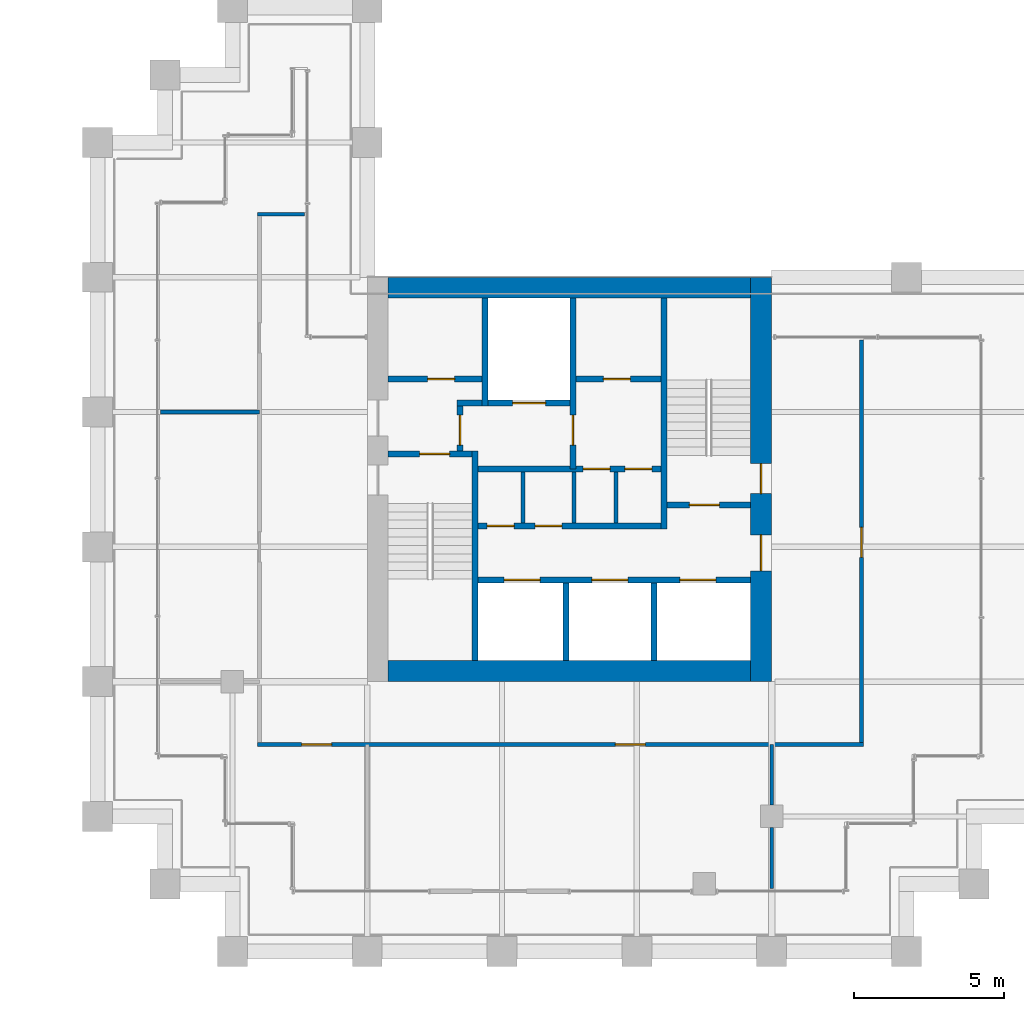
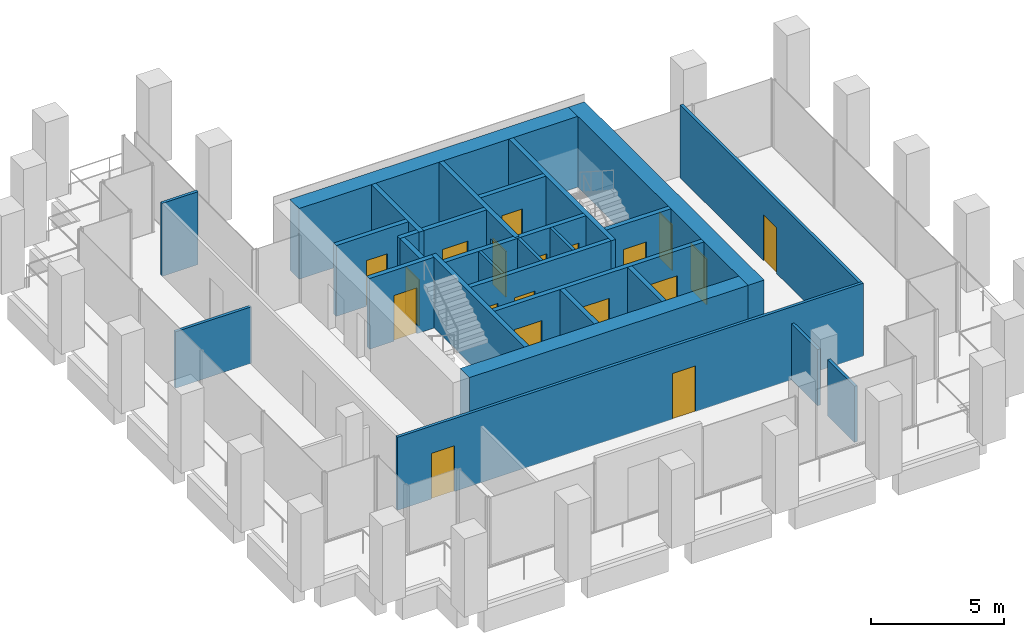
# One storey, part 43 of 45: 28 walls, 19 doors, 19 openings.
"""IFC4 building model written with IfcOpenShell, lengths in metres."""

from ifc_helpers import new_model, si_unit, direction, frame, frame_2d, origin, place, context, subcontext, project, spatial, rectangle, extrude, material, layer, layer_set, type_object, element, fill, save


model = new_model("IFC4")

# Units and contexts
model_context = context("Model", 3, precision=1e-05, world=origin(), true_north=direction((0.0, 1.0)))
body_context = subcontext(model_context, "Body", "Model", "MODEL_VIEW")
ifc_project = project(units=[si_unit("LENGTHUNIT", "METRE"), si_unit("AREAUNIT", "SQUARE_METRE"), si_unit("VOLUMEUNIT", "CUBIC_METRE"), si_unit("PLANEANGLEUNIT", "RADIAN"), si_unit("MASSUNIT", "GRAM", prefix="KILO")], contexts=[model_context])

# Site, building, storey
site_placement = place(None, origin())
site = spatial("IfcSite", under=ifc_project, at=site_placement, CompositionType="ELEMENT")
building_placement = place(site_placement, origin())
building = spatial("IfcBuilding", under=site, at=building_placement, Name="Altepetl Exchange Towers", CompositionType="ELEMENT")
storey_placement = place(building_placement, frame((0.0, 0.0, 110.0)))
storey = spatial("IfcBuildingStorey", under=building, at=storey_placement, Name="L27", CompositionType="ELEMENT", Elevation=110.0)

# Wall, openings, doors
ifc_material_1 = material(Name="Concrete C70/85", Category="concrete")
ifc_layer_1 = layer(ifc_material_1, 0.699951171875)
ifc_layer_set_1 = layer_set([ifc_layer_1], Name="Concrete C70/85")
wall_type_1 = type_object("IfcWallType", Name="Core wall 700 reinforced concrete", PredefinedType="SHEAR", material=ifc_layer_set_1)
wall_1_placement = place(storey_placement, frame((116.64990234375, 36.0, 0.0), z_axis=(0.0, 0.0, 1.0), x_axis=(0.0, 1.0, 0.0)))
wall_1 = element("IfcWall", 1, at=wall_1_placement, inside=storey, type_object=wall_type_1, Name="wall:B:L27:K-coreE", PredefinedType="SHEAR", context=body_context, shape_type="SweptSolid", body=[
    extrude(rectangle(XDim=13.5, YDim=0.699951171875, at=frame_2d((6.75, 0.0))), origin(), (0.0, 0.0, 1.0), 3.25),
])
opening_1_placement = place(wall_1_placement, frame((3.699951171875, 0.0, 0.0)))
opening_1 = element("IfcOpeningElement", 2, at=opening_1_placement, cuts=wall_1, Name="Opening L27.B61", PredefinedType="OPENING", context=body_context, shape_type="SweptSolid", body=[
    extrude(rectangle(XDim=1.199951171875, YDim=2.10009765625, at=frame_2d((0.60009765625, 1.050048828125))), frame((0.0, 0.35986328125, 0.0), z_axis=(0.0, -1.0, 0.0), x_axis=(1.0, 0.0, 0.0)), (0.0, 0.0, 1.0), 0.719970703125),
])
opening_2_placement = place(wall_1_placement, frame((6.27490234375, 0.0, 0.0)))
opening_2 = element("IfcOpeningElement", 3, at=opening_2_placement, cuts=wall_1, Name="Opening L27.B65", PredefinedType="OPENING", context=body_context, shape_type="SweptSolid", body=[
    extrude(rectangle(XDim=1.0, YDim=2.10009765625, at=frame_2d((0.5, 1.050048828125))), frame((0.0, 0.35986328125, 0.0), z_axis=(0.0, -1.0, 0.0), x_axis=(1.0, 0.0, 0.0)), (0.0, 0.0, 1.0), 0.719970703125),
])
ifc_material_2 = material(Name="Steel and timber fire door", Category="steel")
door_type_1 = type_object("IfcDoorType", Name="Fire door 1000 x 2100 stair and lobby", OperationType="SINGLE_SWING_LEFT", PredefinedType="DOOR", material=ifc_material_2)
door_1_placement = place(opening_2_placement, origin())
door_1 = element("IfcDoor", 4, at=door_1_placement, inside=storey, type_object=door_type_1, Name="door:B:L27:K-dS2x", OperationType="SINGLE_SWING_LEFT", OverallHeight=2.10009765625, OverallWidth=1.0, PredefinedType="DOOR", context=body_context, shape_type="SweptSolid", body=[
    extrude(rectangle(XDim=1.0, YDim=2.10009765625, at=frame_2d((0.5, 1.050048828125))), frame((0.0, 0.02490234375, 0.0), z_axis=(0.0, -1.0, 0.0), x_axis=(1.0, 0.0, 0.0)), (0.0, 0.0, 1.0), 0.050048828125),
])
fill(opening_2, door_1)
door_type_2 = type_object("IfcDoorType", Name="Fire door 1200 x 2100 lobby entry", OperationType="SINGLE_SWING_LEFT", PredefinedType="DOOR", material=ifc_material_2)
door_2_placement = place(opening_1_placement, origin())
door_2 = element("IfcDoor", 5, at=door_2_placement, inside=storey, type_object=door_type_2, Name="door:B:L27:K-dLSE", OperationType="SINGLE_SWING_RIGHT", OverallHeight=2.10009765625, OverallWidth=1.199951171875, PredefinedType="DOOR", context=body_context, shape_type="SweptSolid", body=[
    extrude(rectangle(XDim=1.199951171875, YDim=2.10009765625, at=frame_2d((0.60009765625, 1.050048828125))), frame((0.0, 0.02490234375, 0.0), z_axis=(0.0, -1.0, 0.0), x_axis=(1.0, 0.0, 0.0)), (0.0, 0.0, 1.0), 0.050048828125),
])
fill(opening_1, door_2)

# Walls
wall_2_placement = place(storey_placement, frame((104.199951171875, 36.35009765625, 0.0)))
element("IfcWall", 6, at=wall_2_placement, inside=storey, type_object=wall_type_1, Name="wall:B:L27:K-coreS", PredefinedType="SHEAR", context=body_context, shape_type="SweptSolid", body=[
    extrude(rectangle(XDim=12.10009765625, YDim=0.699951171875, at=frame_2d((6.050048828125, 0.0))), origin(), (0.0, 0.0, 1.0), 3.25),
])
ifc_layer_2 = layer(ifc_material_1, 0.699951171875)
ifc_layer_set_2 = layer_set([ifc_layer_2], Name="Concrete C70/85")
wall_type_2 = type_object("IfcWallType", Name="Core wall 700 reinforced concrete external", PredefinedType="SHEAR", material=ifc_layer_set_2)
wall_3_placement = place(storey_placement, frame((104.199951171875, 49.14990234375, 0.0)))
element("IfcWall", 7, at=wall_3_placement, inside=storey, type_object=wall_type_2, Name="wall:B:L27:K-coreN", PredefinedType="SHEAR", context=body_context, shape_type="SweptSolid", body=[
    extrude(rectangle(XDim=12.10009765625, YDim=0.699951171875, at=frame_2d((6.050048828125, 0.0))), origin(), (0.0, 0.0, 1.0), 3.25),
])
ifc_material_3 = material(Name="Concrete blockwork", Category="masonry")
ifc_layer_3 = layer(ifc_material_3, 0.199951171875)
ifc_layer_set_3 = layer_set([ifc_layer_3], Name="Concrete blockwork")
wall_type_3 = type_object("IfcWallType", Name="Lobby wall 200 blockwork", PredefinedType="PARTITIONING", material=ifc_layer_set_3)
wall_4_placement = place(storey_placement, frame((106.5, 45.300048828125, 0.0)))
element("IfcWall", 8, at=wall_4_placement, inside=storey, type_object=wall_type_3, Name="wall:B:L27:K-ffNw", PredefinedType="PARTITIONING", context=body_context, shape_type="SweptSolid", body=[
    extrude(rectangle(XDim=0.833251953125, YDim=0.199951171875, at=frame_2d((0.41650390625, 0.0))), origin(), (0.0, 0.0, 1.0), 3.25),
])

# Wall, opening, door
wall_5_placement = place(storey_placement, frame((106.60009765625, 43.699951171875, 0.0), z_axis=(0.0, 0.0, 1.0), x_axis=(0.0, 1.0, 0.0)))
wall_5 = element("IfcWall", 9, at=wall_5_placement, inside=storey, type_object=wall_type_3, Name="wall:B:L27:K-ffW", PredefinedType="PARTITIONING", context=body_context, shape_type="SweptSolid", body=[
    extrude(rectangle(XDim=1.5, YDim=0.199951171875, at=frame_2d((0.75, 0.0))), origin(), (0.0, 0.0, 1.0), 3.25),
])
opening_3_placement = place(wall_5_placement, frame((0.199951171875, 0.0, 0.0)))
opening_3 = element("IfcOpeningElement", 10, at=opening_3_placement, cuts=wall_5, Name="Opening L27.B67", PredefinedType="OPENING", context=body_context, shape_type="SweptSolid", body=[
    extrude(rectangle(XDim=1.0, YDim=2.10009765625, at=frame_2d((0.5, 1.050048828125))), frame((0.0, 0.10986328125, 0.0), z_axis=(0.0, -1.0, 0.0), x_axis=(1.0, 0.0, 0.0)), (0.0, 0.0, 1.0), 0.219970703125),
])
door_3_placement = place(opening_3_placement, frame((1.0, 0.0, 0.0), x_axis=(-1.0, 0.0, 0.0)))
door_3 = element("IfcDoor", 11, at=door_3_placement, inside=storey, type_object=door_type_1, Name="door:B:L27:K-dffW", OperationType="SINGLE_SWING_LEFT", OverallHeight=2.10009765625, OverallWidth=1.0, PredefinedType="DOOR", context=body_context, shape_type="SweptSolid", body=[
    extrude(rectangle(XDim=1.0, YDim=2.10009765625, at=frame_2d((0.5, 1.050048828125))), frame((0.0, 0.02490234375, 0.0), z_axis=(0.0, -1.0, 0.0), x_axis=(1.0, 0.0, 0.0)), (0.0, 0.0, 1.0), 0.050048828125),
])
fill(opening_3, door_3)

# Wall, openings, doors
wall_6_placement = place(storey_placement, frame((107.199951171875, 43.10009765625, 0.0)))
wall_6 = element("IfcWall", 12, at=wall_6_placement, inside=storey, type_object=wall_type_3, Name="wall:B:L27:K-zoneN", PredefinedType="PARTITIONING", context=body_context, shape_type="SweptSolid", body=[
    extrude(rectangle(XDim=6.10009765625, YDim=0.199951171875, at=frame_2d((3.050048828125, 0.0))), origin(), (0.0, 0.0, 1.0), 3.25),
])
opening_4_placement = place(wall_6_placement, frame((3.508544921875, 0.0, 0.0)))
opening_4 = element("IfcOpeningElement", 13, at=opening_4_placement, cuts=wall_6, Name="Opening L27.B72", PredefinedType="OPENING", context=body_context, shape_type="SweptSolid", body=[
    extrude(rectangle(XDim=0.89990234375, YDim=2.10009765625, at=frame_2d((0.449951171875, 1.050048828125))), frame((0.0, 0.10986328125, 0.0), z_axis=(0.0, -1.0, 0.0), x_axis=(1.0, 0.0, 0.0)), (0.0, 0.0, 1.0), 0.219970703125),
])
opening_5_placement = place(wall_6_placement, frame((4.89990234375, 0.0, 0.0)))
opening_5 = element("IfcOpeningElement", 14, at=opening_5_placement, cuts=wall_6, Name="Opening L27.B73", PredefinedType="OPENING", context=body_context, shape_type="SweptSolid", body=[
    extrude(rectangle(XDim=0.89990234375, YDim=2.10009765625, at=frame_2d((0.449951171875, 1.050048828125))), frame((0.0, 0.10986328125, 0.0), z_axis=(0.0, -1.0, 0.0), x_axis=(1.0, 0.0, 0.0)), (0.0, 0.0, 1.0), 0.219970703125),
])
door_type_3 = type_object("IfcDoorType", Name="Fire door 900 x 2100 service room", OperationType="SINGLE_SWING_LEFT", PredefinedType="DOOR", material=ifc_material_2)
door_4_placement = place(opening_4_placement, frame((0.89990234375, 0.0, 0.0), x_axis=(-1.0, 0.0, 0.0)))
door_4 = element("IfcDoor", 15, at=door_4_placement, inside=storey, type_object=door_type_3, Name="door:B:L27:K-dz3", OperationType="SINGLE_SWING_RIGHT", OverallHeight=2.10009765625, OverallWidth=0.89990234375, PredefinedType="DOOR", context=body_context, shape_type="SweptSolid", body=[
    extrude(rectangle(XDim=0.89990234375, YDim=2.10009765625, at=frame_2d((0.449951171875, 1.050048828125))), frame((0.0, 0.02490234375, 0.0), z_axis=(0.0, -1.0, 0.0), x_axis=(1.0, 0.0, 0.0)), (0.0, 0.0, 1.0), 0.050048828125),
])
fill(opening_4, door_4)
door_5_placement = place(opening_5_placement, frame((0.89990234375, 0.0, 0.0), x_axis=(-1.0, 0.0, 0.0)))
door_5 = element("IfcDoor", 16, at=door_5_placement, inside=storey, type_object=door_type_3, Name="door:B:L27:K-dz4", OperationType="SINGLE_SWING_RIGHT", OverallHeight=2.10009765625, OverallWidth=0.89990234375, PredefinedType="DOOR", context=body_context, shape_type="SweptSolid", body=[
    extrude(rectangle(XDim=0.89990234375, YDim=2.10009765625, at=frame_2d((0.449951171875, 1.050048828125))), frame((0.0, 0.02490234375, 0.0), z_axis=(0.0, -1.0, 0.0), x_axis=(1.0, 0.0, 0.0)), (0.0, 0.0, 1.0), 0.050048828125),
])
fill(opening_5, door_5)

wall_7_placement = place(storey_placement, frame((107.199951171875, 41.199951171875, 0.0)))
wall_7 = element("IfcWall", 17, at=wall_7_placement, inside=storey, type_object=wall_type_3, Name="wall:B:L27:K-zoneS", PredefinedType="PARTITIONING", context=body_context, shape_type="SweptSolid", body=[
    extrude(rectangle(XDim=6.10009765625, YDim=0.199951171875, at=frame_2d((3.050048828125, 0.0))), origin(), (0.0, 0.0, 1.0), 3.25),
])
opening_6_placement = place(wall_7_placement, frame((0.300048828125, 0.0, 0.0)))
opening_6 = element("IfcOpeningElement", 18, at=opening_6_placement, cuts=wall_7, Name="Opening L27.B70", PredefinedType="OPENING", context=body_context, shape_type="SweptSolid", body=[
    extrude(rectangle(XDim=0.89990234375, YDim=2.10009765625, at=frame_2d((0.449951171875, 1.050048828125))), frame((0.0, 0.10986328125, 0.0), z_axis=(0.0, -1.0, 0.0), x_axis=(1.0, 0.0, 0.0)), (0.0, 0.0, 1.0), 0.219970703125),
])
opening_7_placement = place(wall_7_placement, frame((1.89990234375, 0.0, 0.0)))
opening_7 = element("IfcOpeningElement", 19, at=opening_7_placement, cuts=wall_7, Name="Opening L27.B71", PredefinedType="OPENING", context=body_context, shape_type="SweptSolid", body=[
    extrude(rectangle(XDim=0.89990234375, YDim=2.10009765625, at=frame_2d((0.449951171875, 1.050048828125))), frame((0.0, 0.10986328125, 0.0), z_axis=(0.0, -1.0, 0.0), x_axis=(1.0, 0.0, 0.0)), (0.0, 0.0, 1.0), 0.219970703125),
])
door_6_placement = place(opening_6_placement, origin())
door_6 = element("IfcDoor", 20, at=door_6_placement, inside=storey, type_object=door_type_3, Name="door:B:L27:K-dz1", OperationType="SINGLE_SWING_RIGHT", OverallHeight=2.10009765625, OverallWidth=0.89990234375, PredefinedType="DOOR", context=body_context, shape_type="SweptSolid", body=[
    extrude(rectangle(XDim=0.89990234375, YDim=2.10009765625, at=frame_2d((0.449951171875, 1.050048828125))), frame((0.0, 0.02490234375, 0.0), z_axis=(0.0, -1.0, 0.0), x_axis=(1.0, 0.0, 0.0)), (0.0, 0.0, 1.0), 0.050048828125),
])
fill(opening_6, door_6)
door_7_placement = place(opening_7_placement, origin())
door_7 = element("IfcDoor", 21, at=door_7_placement, inside=storey, type_object=door_type_3, Name="door:B:L27:K-dz2", OperationType="SINGLE_SWING_RIGHT", OverallHeight=2.10009765625, OverallWidth=0.89990234375, PredefinedType="DOOR", context=body_context, shape_type="SweptSolid", body=[
    extrude(rectangle(XDim=0.89990234375, YDim=2.10009765625, at=frame_2d((0.449951171875, 1.050048828125))), frame((0.0, 0.02490234375, 0.0), z_axis=(0.0, -1.0, 0.0), x_axis=(1.0, 0.0, 0.0)), (0.0, 0.0, 1.0), 0.050048828125),
])
fill(opening_7, door_7)

# Walls
ifc_material_4 = material(Name="Timber panels on aluminium track", Category="wood")
ifc_layer_4 = layer(ifc_material_4, 0.125)
ifc_layer_set_4 = layer_set([ifc_layer_4], Name="Timber panels on aluminium track")
wall_type_4 = type_object("IfcWallType", Name="Operable acoustic partition 125", PredefinedType="MOVABLE", material=ifc_layer_set_4)
wall_8_placement = place(storey_placement, frame((96.60009765625, 45.0, 0.0)))
element("IfcWall", 22, at=wall_8_placement, inside=storey, type_object=wall_type_4, Name="wall:B:L27:P04", PredefinedType="MOVABLE", context=body_context, shape_type="SweptSolid", body=[
    extrude(rectangle(XDim=3.2998046875, YDim=0.125, at=frame_2d((1.64990234375, 0.0))), origin(), (0.0, 0.0, 1.0), 2.592041015625),
])
ifc_material_5 = material(Name="Gypsum board on steel studs", Category="steel")
ifc_layer_5 = layer(ifc_material_5, 0.125)
ifc_layer_set_5 = layer_set([ifc_layer_5], Name="Gypsum board on steel studs")
wall_type_5 = type_object("IfcWallType", Name="Partition 125 gypsum board on steel studs", PredefinedType="PARTITIONING", material=ifc_layer_set_5)
for number, where, z_axis, x_axis, name in (
    (23, (108.699951171875, 41.300048828125, 0.0), (0.0, 0.0, 1.0), (0.0, 1.0, 0.0), "wall:B:L27:K-zp1"),
    (24, (110.39990234375, 41.300048828125, 0.0), (0.0, 0.0, 1.0), (0.0, 1.0, 0.0), "wall:B:L27:K-zp2"),
    (25, (111.800048828125, 41.300048828125, 0.0), (0.0, 0.0, 1.0), (0.0, 1.0, 0.0), "wall:B:L27:K-zp3"),
):
    element("IfcWall", number, at=place(storey_placement, frame(where, z_axis=z_axis, x_axis=x_axis)), inside=storey, type_object=wall_type_5, Name=name, PredefinedType="PARTITIONING", context=body_context, shape_type="SweptSolid", body=[
        extrude(rectangle(XDim=1.699951171875, YDim=0.125, at=frame_2d((0.85009765625, 0.0))), origin(), (0.0, 0.0, 1.0), 3.25),
    ])

# Wall, openings, doors
wall_9_placement = place(storey_placement, frame((99.83740234375, 33.89990234375, 0.0)))
wall_9 = element("IfcWall", 26, at=wall_9_placement, inside=storey, type_object=wall_type_5, Name="wall:B:L27:P01", PredefinedType="PARTITIONING", context=body_context, shape_type="SweptSolid", body=[
    extrude(rectangle(XDim=20.22509765625, YDim=0.125, at=frame_2d((10.112548828125, 0.0))), origin(), (0.0, 0.0, 1.0), 3.35009765625),
])
opening_8_placement = place(wall_9_placement, frame((1.470458984375, 0.0, 0.0)))
opening_8 = element("IfcOpeningElement", 27, at=opening_8_placement, cuts=wall_9, Name="Opening L27.B02", PredefinedType="OPENING", context=body_context, shape_type="SweptSolid", body=[
    extrude(rectangle(XDim=1.0, YDim=2.10009765625, at=frame_2d((0.5, 1.050048828125))), frame((0.0, 0.072509765625, 0.0), z_axis=(0.0, -1.0, 0.0), x_axis=(1.0, 0.0, 0.0)), (0.0, 0.0, 1.0), 0.14501953125),
])
opening_9_placement = place(wall_9_placement, frame((11.9423828125, 0.0, 0.0)))
opening_9 = element("IfcOpeningElement", 28, at=opening_9_placement, cuts=wall_9, Name="Opening L27.B03", PredefinedType="OPENING", context=body_context, shape_type="SweptSolid", body=[
    extrude(rectangle(XDim=1.0, YDim=2.10009765625, at=frame_2d((0.5, 1.050048828125))), frame((0.0, 0.072509765625, 0.0), z_axis=(0.0, -1.0, 0.0), x_axis=(1.0, 0.0, 0.0)), (0.0, 0.0, 1.0), 0.14501953125),
])
door_type_4 = type_object("IfcDoorType", Name="Fire door 1000 x 2100 single leaf", OperationType="SINGLE_SWING_LEFT", PredefinedType="DOOR", material=ifc_material_2)
door_8_placement = place(opening_8_placement, frame((1.0, 0.0, 0.0), x_axis=(-1.0, 0.0, 0.0)))
door_8 = element("IfcDoor", 29, at=door_8_placement, inside=storey, type_object=door_type_4, Name="door:B:L27:02", OperationType="SINGLE_SWING_RIGHT", OverallHeight=2.10009765625, OverallWidth=1.0, PredefinedType="DOOR", context=body_context, shape_type="SweptSolid", body=[
    extrude(rectangle(XDim=1.0, YDim=2.10009765625, at=frame_2d((0.5, 1.050048828125))), frame((0.0, 0.02490234375, 0.0), z_axis=(0.0, -1.0, 0.0), x_axis=(1.0, 0.0, 0.0)), (0.0, 0.0, 1.0), 0.050048828125),
])
fill(opening_8, door_8)
door_9_placement = place(opening_9_placement, frame((1.0, 0.0, 0.0), x_axis=(-1.0, 0.0, 0.0)))
door_9 = element("IfcDoor", 30, at=door_9_placement, inside=storey, type_object=door_type_4, Name="door:B:L27:03", OperationType="SINGLE_SWING_RIGHT", OverallHeight=2.10009765625, OverallWidth=1.0, PredefinedType="DOOR", context=body_context, shape_type="SweptSolid", body=[
    extrude(rectangle(XDim=1.0, YDim=2.10009765625, at=frame_2d((0.5, 1.050048828125))), frame((0.0, 0.02490234375, 0.0), z_axis=(0.0, -1.0, 0.0), x_axis=(1.0, 0.0, 0.0)), (0.0, 0.0, 1.0), 0.050048828125),
])
fill(opening_9, door_9)

# Walls
wall_10_placement = place(storey_placement, frame((99.83740234375, 51.60009765625, 0.0)))
element("IfcWall", 31, at=wall_10_placement, inside=storey, type_object=wall_type_5, Name="wall:B:L27:P05", PredefinedType="PARTITIONING", context=body_context, shape_type="SweptSolid", body=[
    extrude(rectangle(XDim=1.5625, YDim=0.125, at=frame_2d((0.78125, 0.0))), origin(), (0.0, 0.0, 1.0), 3.35009765625),
])
for number, where, z_axis, x_axis, name in (
    (32, (117.0, 29.10009765625, 0.0), (0.0, 0.0, 1.0), (0.0, 1.0, 0.0), "wall:B:L27:P08"),
    (33, (117.0, 31.875, 0.0), (0.0, 0.0, 1.0), (0.0, 1.0, 0.0), "wall:B:L27:P09"),
):
    element("IfcWall", number, at=place(storey_placement, frame(where, z_axis=z_axis, x_axis=x_axis)), inside=storey, type_object=wall_type_5, Name=name, PredefinedType="PARTITIONING", context=body_context, shape_type="SweptSolid", body=[
        extrude(rectangle(XDim=2.02490234375, YDim=0.125, at=frame_2d((1.012451171875, 0.0))), origin(), (0.0, 0.0, 1.0), 2.575927734375),
    ])

# Wall, opening, door
wall_11_placement = place(storey_placement, frame((120.0, 33.96240234375, 0.0), z_axis=(0.0, 0.0, 1.0), x_axis=(0.0, 1.0, 0.0)))
wall_11 = element("IfcWall", 34, at=wall_11_placement, inside=storey, type_object=wall_type_5, Name="wall:B:L27:P10", PredefinedType="PARTITIONING", context=body_context, shape_type="SweptSolid", body=[
    extrude(rectangle(XDim=13.4375, YDim=0.125, at=frame_2d((6.71875, 0.0))), origin(), (0.0, 0.0, 1.0), 3.35009765625),
])
opening_10_placement = place(wall_11_placement, frame((6.1875, 0.0, 0.0)))
opening_10 = element("IfcOpeningElement", 35, at=opening_10_placement, cuts=wall_11, Name="Opening L27.B04", PredefinedType="OPENING", context=body_context, shape_type="SweptSolid", body=[
    extrude(rectangle(XDim=1.0, YDim=2.10009765625, at=frame_2d((0.5, 1.050048828125))), frame((0.0, 0.072509765625, 0.0), z_axis=(0.0, -1.0, 0.0), x_axis=(1.0, 0.0, 0.0)), (0.0, 0.0, 1.0), 0.14501953125),
])
door_10_placement = place(opening_10_placement, frame((1.0, 0.0, 0.0), x_axis=(-1.0, 0.0, 0.0)))
door_10 = element("IfcDoor", 36, at=door_10_placement, inside=storey, type_object=door_type_4, Name="door:B:L27:04", OperationType="SINGLE_SWING_LEFT", OverallHeight=2.10009765625, OverallWidth=1.0, PredefinedType="DOOR", context=body_context, shape_type="SweptSolid", body=[
    extrude(rectangle(XDim=1.0, YDim=2.10009765625, at=frame_2d((0.5, 1.050048828125))), frame((0.0, 0.02490234375, 0.0), z_axis=(0.0, -1.0, 0.0), x_axis=(1.0, 0.0, 0.0)), (0.0, 0.0, 1.0), 0.050048828125),
])
fill(opening_10, door_10)

# Wall
ifc_material_6 = material(Name="Concrete C40/50", Category="concrete")
ifc_layer_6 = layer(ifc_material_6, 0.199951171875)
ifc_layer_set_6 = layer_set([ifc_layer_6], Name="Concrete C40/50")
wall_type_6 = type_object("IfcWallType", Name="Shaft wall 200 reinforced concrete", PredefinedType="SHEAR", material=ifc_layer_set_6)
wall_12_placement = place(storey_placement, frame((107.433349609375, 48.800048828125, 0.0), z_axis=(0.0, 0.0, 1.0), x_axis=(0.0, -1.0, 0.0)))
element("IfcWall", 37, at=wall_12_placement, inside=storey, type_object=wall_type_6, Name="wall:B:L27:K-divN1", PredefinedType="SHEAR", context=body_context, shape_type="SweptSolid", body=[
    extrude(rectangle(XDim=3.60009765625, YDim=0.199951171875, at=frame_2d((1.800048828125, 0.0))), origin(), (0.0, 0.0, 1.0), 3.25),
])

# Wall, opening, door
wall_13_placement = place(storey_placement, frame((110.36669921875, 48.800048828125, 0.0), z_axis=(0.0, 0.0, 1.0), x_axis=(0.0, -1.0, 0.0)))
wall_13 = element("IfcWall", 38, at=wall_13_placement, inside=storey, type_object=wall_type_6, Name="wall:B:L27:K-divN2", PredefinedType="SHEAR", context=body_context, shape_type="SweptSolid", body=[
    extrude(rectangle(XDim=5.699951171875, YDim=0.199951171875, at=frame_2d((2.85009765625, 0.0))), origin(), (0.0, 0.0, 1.0), 3.25),
])
opening_11_placement = place(wall_13_placement, frame((3.89990234375, 0.0, 0.0)))
opening_11 = element("IfcOpeningElement", 39, at=opening_11_placement, cuts=wall_13, Name="Opening L27.B66", PredefinedType="OPENING", context=body_context, shape_type="SweptSolid", body=[
    extrude(rectangle(XDim=1.0, YDim=2.10009765625, at=frame_2d((0.5, 1.050048828125))), frame((0.0, 0.10986328125, 0.0), z_axis=(0.0, -1.0, 0.0), x_axis=(1.0, 0.0, 0.0)), (0.0, 0.0, 1.0), 0.219970703125),
])
door_11_placement = place(opening_11_placement, frame((1.0, 0.0, 0.0), x_axis=(-1.0, 0.0, 0.0)))
door_11 = element("IfcDoor", 40, at=door_11_placement, inside=storey, type_object=door_type_1, Name="door:B:L27:K-dffE", OperationType="SINGLE_SWING_RIGHT", OverallHeight=2.10009765625, OverallWidth=1.0, PredefinedType="DOOR", context=body_context, shape_type="SweptSolid", body=[
    extrude(rectangle(XDim=1.0, YDim=2.10009765625, at=frame_2d((0.5, 1.050048828125))), frame((0.0, 0.02490234375, 0.0), z_axis=(0.0, -1.0, 0.0), x_axis=(1.0, 0.0, 0.0)), (0.0, 0.0, 1.0), 0.050048828125),
])
fill(opening_11, door_11)

# Walls
for number, where, z_axis, x_axis, name in (
    (41, (110.13330078125, 36.699951171875, 0.0), (0.0, 0.0, 1.0), (0.0, 1.0, 0.0), "wall:B:L27:K-divS1"),
    (42, (113.066650390625, 36.699951171875, 0.0), (0.0, 0.0, 1.0), (0.0, 1.0, 0.0), "wall:B:L27:K-divS2"),
):
    element("IfcWall", number, at=place(storey_placement, frame(where, z_axis=z_axis, x_axis=x_axis)), inside=storey, type_object=wall_type_6, Name=name, PredefinedType="SHEAR", context=body_context, shape_type="SweptSolid", body=[
        extrude(rectangle(XDim=2.60009765625, YDim=0.199951171875, at=frame_2d((1.300048828125, 0.0))), origin(), (0.0, 0.0, 1.0), 3.25),
    ])

# Wall, opening, door
wall_14_placement = place(storey_placement, frame((104.199951171875, 46.10009765625, 0.0)))
wall_14 = element("IfcWall", 43, at=wall_14_placement, inside=storey, type_object=wall_type_6, Name="wall:B:L27:K-frontNa", PredefinedType="SHEAR", context=body_context, shape_type="SweptSolid", body=[
    extrude(rectangle(XDim=3.13330078125, YDim=0.199951171875, at=frame_2d((1.566650390625, 0.0))), origin(), (0.0, 0.0, 1.0), 3.25),
])
opening_12_placement = place(wall_14_placement, frame((1.316650390625, 0.0, 0.0)))
opening_12 = element("IfcOpeningElement", 44, at=opening_12_placement, cuts=wall_14, Name="Opening L27.B68", PredefinedType="OPENING", context=body_context, shape_type="SweptSolid", body=[
    extrude(rectangle(XDim=0.89990234375, YDim=2.10009765625, at=frame_2d((0.449951171875, 1.050048828125))), frame((0.0, 0.10986328125, 0.0), z_axis=(0.0, -1.0, 0.0), x_axis=(1.0, 0.0, 0.0)), (0.0, 0.0, 1.0), 0.219970703125),
])
door_12_placement = place(opening_12_placement, origin())
door_12 = element("IfcDoor", 45, at=door_12_placement, inside=storey, type_object=door_type_3, Name="door:B:L27:K-dslotN0", OperationType="SINGLE_SWING_RIGHT", OverallHeight=2.10009765625, OverallWidth=0.89990234375, PredefinedType="DOOR", context=body_context, shape_type="SweptSolid", body=[
    extrude(rectangle(XDim=0.89990234375, YDim=2.10009765625, at=frame_2d((0.449951171875, 1.050048828125))), frame((0.0, 0.02490234375, 0.0), z_axis=(0.0, -1.0, 0.0), x_axis=(1.0, 0.0, 0.0)), (0.0, 0.0, 1.0), 0.050048828125),
])
fill(opening_12, door_12)

wall_15_placement = place(storey_placement, frame((110.466796875, 46.10009765625, 0.0)))
wall_15 = element("IfcWall", 46, at=wall_15_placement, inside=storey, type_object=wall_type_6, Name="wall:B:L27:K-frontNb", PredefinedType="SHEAR", context=body_context, shape_type="SweptSolid", body=[
    extrude(rectangle(XDim=2.833251953125, YDim=0.199951171875, at=frame_2d((1.41650390625, 0.0))), origin(), (0.0, 0.0, 1.0), 3.25),
])
opening_13_placement = place(wall_15_placement, frame((0.91650390625, 0.0, 0.0)))
opening_13 = element("IfcOpeningElement", 47, at=opening_13_placement, cuts=wall_15, Name="Opening L27.B69", PredefinedType="OPENING", context=body_context, shape_type="SweptSolid", body=[
    extrude(rectangle(XDim=0.89990234375, YDim=2.10009765625, at=frame_2d((0.449951171875, 1.050048828125))), frame((0.0, 0.10986328125, 0.0), z_axis=(0.0, -1.0, 0.0), x_axis=(1.0, 0.0, 0.0)), (0.0, 0.0, 1.0), 0.219970703125),
])
door_13_placement = place(opening_13_placement, origin())
door_13 = element("IfcDoor", 48, at=door_13_placement, inside=storey, type_object=door_type_3, Name="door:B:L27:K-dslotN2", OperationType="SINGLE_SWING_RIGHT", OverallHeight=2.10009765625, OverallWidth=0.89990234375, PredefinedType="DOOR", context=body_context, shape_type="SweptSolid", body=[
    extrude(rectangle(XDim=0.89990234375, YDim=2.10009765625, at=frame_2d((0.449951171875, 1.050048828125))), frame((0.0, 0.02490234375, 0.0), z_axis=(0.0, -1.0, 0.0), x_axis=(1.0, 0.0, 0.0)), (0.0, 0.0, 1.0), 0.050048828125),
])
fill(opening_13, door_13)

wall_16_placement = place(storey_placement, frame((107.533203125, 45.300048828125, 0.0)))
wall_16 = element("IfcWall", 49, at=wall_16_placement, inside=storey, type_object=wall_type_6, Name="wall:B:L27:K-frontNd", PredefinedType="SHEAR", context=body_context, shape_type="SweptSolid", body=[
    extrude(rectangle(XDim=2.7333984375, YDim=0.199951171875, at=frame_2d((1.36669921875, 0.0))), origin(), (0.0, 0.0, 1.0), 3.25),
])
opening_14_placement = place(wall_16_placement, frame((0.816650390625, 0.0, 0.0)))
opening_14 = element("IfcOpeningElement", 50, at=opening_14_placement, cuts=wall_16, Name="Opening L27.B74", PredefinedType="OPENING", context=body_context, shape_type="SweptSolid", body=[
    extrude(rectangle(XDim=1.10009765625, YDim=2.10009765625, at=frame_2d((0.550048828125, 1.050048828125))), frame((0.0, 0.10986328125, 0.0), z_axis=(0.0, -1.0, 0.0), x_axis=(1.0, 0.0, 0.0)), (0.0, 0.0, 1.0), 0.219970703125),
])
ifc_material_7 = material(Name="Stainless steel", Category="steel")
door_type_5 = type_object("IfcDoorType", Name="Lift landing door 1100 x 2100", OperationType="SLIDING_TO_LEFT", PredefinedType="DOOR", material=ifc_material_7)
door_14_placement = place(opening_14_placement, origin())
door_14 = element("IfcDoor", 51, at=door_14_placement, inside=storey, type_object=door_type_5, Name="Landing door FFL1", OperationType="SLIDING_TO_LEFT", OverallHeight=2.10009765625, OverallWidth=1.10009765625, PredefinedType="DOOR", context=body_context, shape_type="SweptSolid", body=[
    extrude(rectangle(XDim=1.10009765625, YDim=2.10009765625, at=frame_2d((0.550048828125, 1.050048828125))), frame((0.0, 0.02490234375, 0.0), z_axis=(0.0, -1.0, 0.0), x_axis=(1.0, 0.0, 0.0)), (0.0, 0.0, 1.0), 0.050048828125),
])
fill(opening_14, door_14)

# Wall, openings, doors
wall_17_placement = place(storey_placement, frame((107.199951171875, 39.39990234375, 0.0)))
wall_17 = element("IfcWall", 52, at=wall_17_placement, inside=storey, type_object=wall_type_6, Name="wall:B:L27:K-frontS", PredefinedType="SHEAR", context=body_context, shape_type="SweptSolid", body=[
    extrude(rectangle(XDim=9.10009765625, YDim=0.199951171875, at=frame_2d((4.550048828125, 0.0))), origin(), (0.0, 0.0, 1.0), 3.25),
])
opening_15_placement = place(wall_17_placement, frame((0.86669921875, 0.0, 0.0)))
opening_15 = element("IfcOpeningElement", 53, at=opening_15_placement, cuts=wall_17, Name="Opening L27.B75", PredefinedType="OPENING", context=body_context, shape_type="SweptSolid", body=[
    extrude(rectangle(XDim=1.199951171875, YDim=2.10009765625, at=frame_2d((0.60009765625, 1.050048828125))), frame((0.0, 0.10986328125, 0.0), z_axis=(0.0, -1.0, 0.0), x_axis=(1.0, 0.0, 0.0)), (0.0, 0.0, 1.0), 0.219970703125),
])
opening_16_placement = place(wall_17_placement, frame((3.800048828125, 0.0, 0.0)))
opening_16 = element("IfcOpeningElement", 54, at=opening_16_placement, cuts=wall_17, Name="Opening L27.B76", PredefinedType="OPENING", context=body_context, shape_type="SweptSolid", body=[
    extrude(rectangle(XDim=1.199951171875, YDim=2.10009765625, at=frame_2d((0.60009765625, 1.050048828125))), frame((0.0, 0.10986328125, 0.0), z_axis=(0.0, -1.0, 0.0), x_axis=(1.0, 0.0, 0.0)), (0.0, 0.0, 1.0), 0.219970703125),
])
opening_17_placement = place(wall_17_placement, frame((6.7333984375, 0.0, 0.0)))
opening_17 = element("IfcOpeningElement", 55, at=opening_17_placement, cuts=wall_17, Name="Opening L27.B77", PredefinedType="OPENING", context=body_context, shape_type="SweptSolid", body=[
    extrude(rectangle(XDim=1.199951171875, YDim=2.10009765625, at=frame_2d((0.60009765625, 1.050048828125))), frame((0.0, 0.10986328125, 0.0), z_axis=(0.0, -1.0, 0.0), x_axis=(1.0, 0.0, 0.0)), (0.0, 0.0, 1.0), 0.219970703125),
])
door_type_6 = type_object("IfcDoorType", Name="Lift landing door 1200 x 2100", OperationType="SLIDING_TO_LEFT", PredefinedType="DOOR", material=ifc_material_7)
door_15_placement = place(opening_15_placement, origin())
door_15 = element("IfcDoor", 56, at=door_15_placement, inside=storey, type_object=door_type_6, Name="Landing door P1", OperationType="SLIDING_TO_LEFT", OverallHeight=2.10009765625, OverallWidth=1.199951171875, PredefinedType="DOOR", context=body_context, shape_type="SweptSolid", body=[
    extrude(rectangle(XDim=1.199951171875, YDim=2.10009765625, at=frame_2d((0.60009765625, 1.050048828125))), frame((0.0, 0.02490234375, 0.0), z_axis=(0.0, -1.0, 0.0), x_axis=(1.0, 0.0, 0.0)), (0.0, 0.0, 1.0), 0.050048828125),
])
fill(opening_15, door_15)
door_16_placement = place(opening_16_placement, origin())
door_16 = element("IfcDoor", 57, at=door_16_placement, inside=storey, type_object=door_type_6, Name="Landing door P2", OperationType="SLIDING_TO_LEFT", OverallHeight=2.10009765625, OverallWidth=1.199951171875, PredefinedType="DOOR", context=body_context, shape_type="SweptSolid", body=[
    extrude(rectangle(XDim=1.199951171875, YDim=2.10009765625, at=frame_2d((0.60009765625, 1.050048828125))), frame((0.0, 0.02490234375, 0.0), z_axis=(0.0, -1.0, 0.0), x_axis=(1.0, 0.0, 0.0)), (0.0, 0.0, 1.0), 0.050048828125),
])
fill(opening_16, door_16)
door_17_placement = place(opening_17_placement, origin())
door_17 = element("IfcDoor", 58, at=door_17_placement, inside=storey, type_object=door_type_6, Name="Landing door P3", OperationType="SLIDING_TO_LEFT", OverallHeight=2.10009765625, OverallWidth=1.199951171875, PredefinedType="DOOR", context=body_context, shape_type="SweptSolid", body=[
    extrude(rectangle(XDim=1.199951171875, YDim=2.10009765625, at=frame_2d((0.60009765625, 1.050048828125))), frame((0.0, 0.02490234375, 0.0), z_axis=(0.0, -1.0, 0.0), x_axis=(1.0, 0.0, 0.0)), (0.0, 0.0, 1.0), 0.050048828125),
])
fill(opening_17, door_17)

# Wall
ifc_layer_7 = layer(ifc_material_6, 0.199951171875)
ifc_layer_set_7 = layer_set([ifc_layer_7], Name="Concrete C40/50")
wall_type_7 = type_object("IfcWallType", Name="Stair wall 200 reinforced concrete", PredefinedType="SHEAR", material=ifc_layer_set_7)
wall_18_placement = place(storey_placement, frame((107.10009765625, 36.699951171875, 0.0), z_axis=(0.0, 0.0, 1.0), x_axis=(0.0, 1.0, 0.0)))
element("IfcWall", 59, at=wall_18_placement, inside=storey, type_object=wall_type_7, Name="wall:B:L27:K-stS1E", PredefinedType="SHEAR", context=body_context, shape_type="SweptSolid", body=[
    extrude(rectangle(XDim=7.0, YDim=0.199951171875, at=frame_2d((3.5, 0.0))), origin(), (0.0, 0.0, 1.0), 3.25),
])

# Wall, opening, door
wall_19_placement = place(storey_placement, frame((104.199951171875, 43.60009765625, 0.0)))
wall_19 = element("IfcWall", 60, at=wall_19_placement, inside=storey, type_object=wall_type_7, Name="wall:B:L27:K-stS1N", PredefinedType="SHEAR", context=body_context, shape_type="SweptSolid", body=[
    extrude(rectangle(XDim=2.800048828125, YDim=0.199951171875, at=frame_2d((1.39990234375, 0.0))), origin(), (0.0, 0.0, 1.0), 3.25),
])
opening_18_placement = place(wall_19_placement, frame((1.050048828125, 0.0, 0.0)))
opening_18 = element("IfcOpeningElement", 61, at=opening_18_placement, cuts=wall_19, Name="Opening L27.B62", PredefinedType="OPENING", context=body_context, shape_type="SweptSolid", body=[
    extrude(rectangle(XDim=1.0, YDim=2.10009765625, at=frame_2d((0.5, 1.050048828125))), frame((0.0, 0.10986328125, 0.0), z_axis=(0.0, -1.0, 0.0), x_axis=(1.0, 0.0, 0.0)), (0.0, 0.0, 1.0), 0.219970703125),
])
door_18_placement = place(opening_18_placement, frame((1.0, 0.0, 0.0), x_axis=(-1.0, 0.0, 0.0)))
door_18 = element("IfcDoor", 62, at=door_18_placement, inside=storey, type_object=door_type_1, Name="door:B:L27:K-dS1in", OperationType="SINGLE_SWING_LEFT", OverallHeight=2.10009765625, OverallWidth=1.0, PredefinedType="DOOR", context=body_context, shape_type="SweptSolid", body=[
    extrude(rectangle(XDim=1.0, YDim=2.10009765625, at=frame_2d((0.5, 1.050048828125))), frame((0.0, 0.02490234375, 0.0), z_axis=(0.0, -1.0, 0.0), x_axis=(1.0, 0.0, 0.0)), (0.0, 0.0, 1.0), 0.050048828125),
])
fill(opening_18, door_18)

wall_20_placement = place(storey_placement, frame((113.5, 41.89990234375, 0.0)))
wall_20 = element("IfcWall", 63, at=wall_20_placement, inside=storey, type_object=wall_type_7, Name="wall:B:L27:K-stS2S", PredefinedType="SHEAR", context=body_context, shape_type="SweptSolid", body=[
    extrude(rectangle(XDim=2.800048828125, YDim=0.199951171875, at=frame_2d((1.39990234375, 0.0))), origin(), (0.0, 0.0, 1.0), 3.25),
])
opening_19_placement = place(wall_20_placement, frame((0.75, 0.0, 0.0)))
opening_19 = element("IfcOpeningElement", 64, at=opening_19_placement, cuts=wall_20, Name="Opening L27.B64", PredefinedType="OPENING", context=body_context, shape_type="SweptSolid", body=[
    extrude(rectangle(XDim=1.0, YDim=2.10009765625, at=frame_2d((0.5, 1.050048828125))), frame((0.0, 0.10986328125, 0.0), z_axis=(0.0, -1.0, 0.0), x_axis=(1.0, 0.0, 0.0)), (0.0, 0.0, 1.0), 0.219970703125),
])
door_19_placement = place(opening_19_placement, origin())
door_19 = element("IfcDoor", 65, at=door_19_placement, inside=storey, type_object=door_type_1, Name="door:B:L27:K-dS2in", OperationType="SINGLE_SWING_RIGHT", OverallHeight=2.10009765625, OverallWidth=1.0, PredefinedType="DOOR", context=body_context, shape_type="SweptSolid", body=[
    extrude(rectangle(XDim=1.0, YDim=2.10009765625, at=frame_2d((0.5, 1.050048828125))), frame((0.0, 0.02490234375, 0.0), z_axis=(0.0, -1.0, 0.0), x_axis=(1.0, 0.0, 0.0)), (0.0, 0.0, 1.0), 0.050048828125),
])
fill(opening_19, door_19)

# Wall
wall_21_placement = place(storey_placement, frame((113.39990234375, 41.10009765625, 0.0), z_axis=(0.0, 0.0, 1.0), x_axis=(0.0, 1.0, 0.0)))
element("IfcWall", 66, at=wall_21_placement, inside=storey, type_object=wall_type_7, Name="wall:B:L27:K-stS2W", PredefinedType="SHEAR", context=body_context, shape_type="SweptSolid", body=[
    extrude(rectangle(XDim=7.699951171875, YDim=0.199951171875, at=frame_2d((3.85009765625, 0.0))), origin(), (0.0, 0.0, 1.0), 3.25),
])

save(model, "model.ifc")
